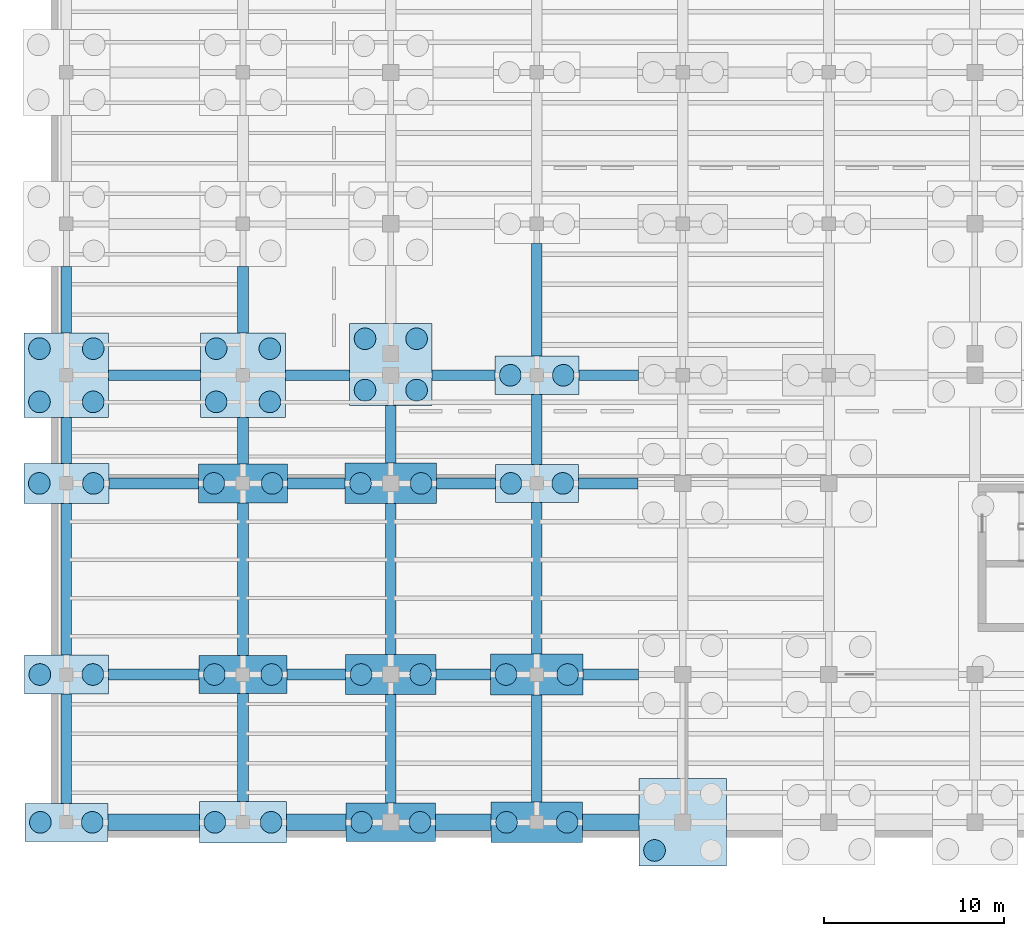
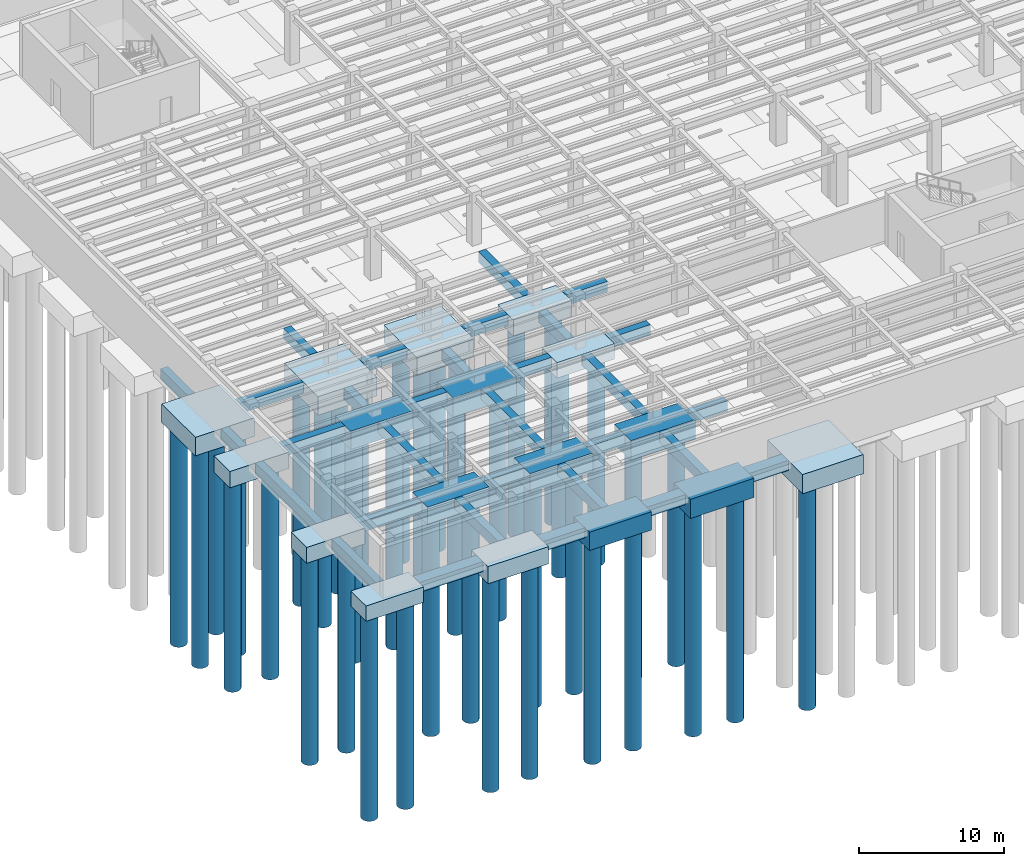
# One storey, part 1 of 49: 48 footings, 39 piles.
"""IFC4 building model written with IfcOpenShell, lengths in metres."""

import ifcopenshell
import ifcopenshell.guid

model = None  # the IFC model being written
_history = None  # IfcOwnerHistory: only IFC2X3 demands one
_inside = {}  # id of a spatial element -> (the spatial element, [elements in it])
_under = {}  # id of a project, library or spatial element -> (it, [spatial elements below it])
_declared = {}  # id of a project -> (the project, [libraries it declares])
_typed = {}  # id of a type object -> (the type object, [elements of that type])
_made_of = {}  # id of a material, layer set ... -> (it, [elements and type objects made of it])


def new_model(schema):
    """Start an empty IFC model of exactly this schema.

    Asked for "IFC4X3", IfcOpenShell would pick the latest addendum, in which some entities
    have other attributes; the version numbers below select the first issue.
    IFC2X3 requires an IfcOwnerHistory on every rooted entity: one is made here for all.
    """
    global model, _history
    if schema == "IFC4X3":
        model = ifcopenshell.file(schema_version=(4, 3, 0, 0))
    else:
        model = ifcopenshell.file(schema=schema)
    _inside.clear()
    _under.clear()
    _declared.clear()
    _typed.clear()
    _made_of.clear()
    _history = None
    if model.schema == "IFC2X3":
        org = make("IfcOrganization", Name="unknown")
        user = make(
            "IfcPersonAndOrganization",
            ThePerson=make("IfcPerson", FamilyName="unknown"),
            TheOrganization=org,
        )
        app = make(
            "IfcApplication",
            ApplicationDeveloper=org,
            Version="unknown",
            ApplicationFullName="unknown",
            ApplicationIdentifier="unknown",
        )
        _history = make(
            "IfcOwnerHistory",
            OwningUser=user,
            OwningApplication=app,
            ChangeAction="ADDED",
            CreationDate=0,
        )
    return model


def make(cls, **values):
    """One entity of the class cls with the attributes given. An attribute that is None is left unset."""
    return model.create_entity(
        cls, **{name: value for name, value in values.items() if value is not None}
    )


def rooted(cls, **values):
    """An entity with a GlobalId (a new one), such as an element, a storey or a relation."""
    return make(cls, GlobalId=ifcopenshell.guid.new(), OwnerHistory=_history, **values)


def si_unit(unit_type, name, prefix=None):
    """IfcSIUnit, for example si_unit("LENGTHUNIT", "METRE", prefix="MILLI")."""
    return make("IfcSIUnit", UnitType=unit_type, Prefix=prefix, Name=name)


def assignment(units):
    """IfcUnitAssignment: the units of a project."""
    return None if units is None else make("IfcUnitAssignment", Units=units)


def point(xyz):
    """IfcCartesianPoint."""
    return None if xyz is None else make("IfcCartesianPoint", Coordinates=xyz)


def direction(xyz):
    """IfcDirection."""
    return None if xyz is None else make("IfcDirection", DirectionRatios=xyz)


def frame(location, z_axis=None, x_axis=None):
    """IfcAxis2Placement3D, a coordinate frame: its origin and axes. An axis left out is left unset."""
    return make(
        "IfcAxis2Placement3D",
        Location=point(location),
        Axis=direction(z_axis),
        RefDirection=direction(x_axis),
    )


def frame_2d(location, x_axis=None):
    """IfcAxis2Placement2D, a coordinate frame in the plane: its origin and x axis."""
    return make(
        "IfcAxis2Placement2D", Location=point(location), RefDirection=direction(x_axis)
    )


def origin():
    """The frame at (0, 0, 0) with its axes left unset."""
    return frame((0.0, 0.0, 0.0))


def origin_2d():
    """The frame at (0, 0) in the plane with its x axis left unset."""
    return frame_2d((0.0, 0.0))


def place(relative_to, where):
    """IfcLocalPlacement: puts the frame where relative to a parent placement (None: the world)."""
    return make(
        "IfcLocalPlacement", PlacementRelTo=relative_to, RelativePlacement=where
    )


def context(
    kind, dimensions, precision=None, world=None, true_north=None, identifier=None
):
    """IfcGeometricRepresentationContext, for example the 3D "Model" context."""
    return make(
        "IfcGeometricRepresentationContext",
        ContextIdentifier=identifier,
        ContextType=kind,
        CoordinateSpaceDimension=dimensions,
        Precision=precision,
        WorldCoordinateSystem=world,
        TrueNorth=true_north,
    )


def subcontext(parent, identifier, kind, view, scale=None):
    """IfcGeometricRepresentationSubContext, for example "Body" below "Model"."""
    return make(
        "IfcGeometricRepresentationSubContext",
        ContextIdentifier=identifier,
        ContextType=kind,
        ParentContext=parent,
        TargetScale=scale,
        TargetView=view,
    )


def project(units=None, contexts=None):
    """IfcProject with its units and contexts."""
    return rooted(
        "IfcProject",
        Name="project",
        RepresentationContexts=contexts,
        UnitsInContext=assignment(units),
    )


def spatial(cls, under=None, at=None, **own):
    """A site, building, storey or space (cls), placed at a placement, below another one or the project."""
    s = rooted(cls, ObjectPlacement=at, **own)
    if under is not None:
        _under.setdefault(under.id(), (under, []))[1].append(s)
    return s


def profile(cls, at=None, kind="AREA", **sizes):
    """A parametric profile (cls). Its sizes go by their IFC names, for example OverallWidth=200.0."""
    return make(cls, ProfileType=kind, Position=at, **sizes)


def rectangle(**sizes):
    """IfcRectangleProfileDef."""
    return profile("IfcRectangleProfileDef", **sizes)


def circle(**sizes):
    """IfcCircleProfileDef."""
    return profile("IfcCircleProfileDef", **sizes)


def extrude(swept, where, along, depth):
    """IfcExtrudedAreaSolid: the profile swept, set in the frame where, extruded along a direction by depth."""
    return make(
        "IfcExtrudedAreaSolid",
        SweptArea=swept,
        Position=where,
        ExtrudedDirection=direction(along),
        Depth=depth,
    )


def shape(context_of_items, identifier, shape_type, items):
    """IfcShapeRepresentation: the items that make up one representation, for example the "Body"."""
    return make(
        "IfcShapeRepresentation",
        ContextOfItems=context_of_items,
        RepresentationIdentifier=identifier,
        RepresentationType=shape_type,
        Items=items,
    )


def material(Name=None, Category=None):
    """IfcMaterial."""
    return make("IfcMaterial", Name=Name, Category=Category)


def material_profile(
    of_material, cross_section, Name=None, Category=None, Priority=None
):
    """IfcMaterialProfile: a cross section and its material."""
    return make(
        "IfcMaterialProfile",
        Name=Name,
        Material=of_material,
        Profile=cross_section,
        Priority=Priority,
        Category=Category,
    )


def profile_set(profiles, Name=None, composite=None):
    """IfcMaterialProfileSet."""
    return make(
        "IfcMaterialProfileSet",
        Name=Name,
        MaterialProfiles=profiles,
        CompositeProfile=composite,
    )


def made_of(thing, what):
    """Note that an element or type object is made of a material, layer set ...; save() writes the relation."""
    if what is not None:
        _made_of.setdefault(what.id(), (what, []))[1].append(thing)
    return thing


def type_object(cls, material=None, **own):
    """A type object (cls), such as IfcWallType, which elements share."""
    return made_of(rooted(cls, **own), material)


def element(
    cls,
    number,
    at=None,
    inside=None,
    cuts=None,
    type_object=None,
    material=None,
    context=None,
    identifier="Body",
    shape_type=None,
    held_by="IfcProductDefinitionShape",
    body=None,
    shapes=None,
    **own,
):
    """One element of the class cls, such as IfcWall. Its Tag is "e" and its number.

    at: its placement. inside: the storey or other place that contains it. cuts: it is an
    opening in that element (IfcRelVoidsElement). A single representation is given by context,
    identifier, shape_type and body (its items); several are given by shapes. held_by: the class
    of the entity that holds the representations. save() writes the other relations.
    """
    e = rooted(cls, Tag="e%d" % number, ObjectPlacement=at, **own)
    if body is not None:
        shapes = [shape(context, identifier, shape_type, body)]
    if shapes is not None:
        e.Representation = make(held_by, Representations=shapes)
    if inside is not None:
        _inside.setdefault(inside.id(), (inside, []))[1].append(e)
    if cuts is not None:
        rooted(
            "IfcRelVoidsElement", RelatingBuildingElement=cuts, RelatedOpeningElement=e
        )
    if type_object is not None:
        _typed.setdefault(type_object.id(), (type_object, []))[1].append(e)
    return made_of(e, material)


def aggregate(whole, parts):
    """IfcRelAggregates: a whole, such as a stair, and the parts it consists of."""
    return rooted("IfcRelAggregates", RelatingObject=whole, RelatedObjects=parts)


def save(model, path):
    """Write the relations noted so far, then the file.

    IfcRelAggregates (storeys below a building ...), IfcRelContainedInSpatialStructure (elements
    in a storey), IfcRelDefinesByType, IfcRelAssociatesMaterial and IfcRelDeclares: one each for
    every whole, place, type object, material and project.
    """
    for whole, parts in _under.values():
        aggregate(whole, parts)
    for where, things in _inside.values():
        rooted(
            "IfcRelContainedInSpatialStructure",
            RelatedElements=things,
            RelatingStructure=where,
        )
    for kind, things in _typed.values():
        rooted("IfcRelDefinesByType", RelatedObjects=things, RelatingType=kind)
    for what, things in _made_of.values():
        rooted("IfcRelAssociatesMaterial", RelatedObjects=things, RelatingMaterial=what)
    for by, libraries in _declared.values():
        rooted("IfcRelDeclares", RelatingContext=by, RelatedDefinitions=libraries)
    model.write(path)


model = new_model("IFC4")

# Units and contexts
model_context = context("Model", 3, precision=1e-05, world=origin(), true_north=direction((0.0, 1.0)))
body_context = subcontext(model_context, "Body", "Model", "MODEL_VIEW")
ifc_project = project(units=[si_unit("LENGTHUNIT", "METRE"), si_unit("AREAUNIT", "SQUARE_METRE"), si_unit("VOLUMEUNIT", "CUBIC_METRE"), si_unit("PLANEANGLEUNIT", "RADIAN"), si_unit("MASSUNIT", "GRAM", prefix="KILO")], contexts=[model_context])

# Site, building, storey
site_placement = place(None, origin())
site = spatial("IfcSite", under=ifc_project, at=site_placement, CompositionType="ELEMENT")
building_placement = place(site_placement, origin())
building = spatial("IfcBuilding", under=site, at=building_placement, Name="Sollismere Congress Hotel", CompositionType="ELEMENT")
storey_placement = place(building_placement, frame((0.0, 0.0, -4.5)))
storey = spatial("IfcBuildingStorey", under=building, at=storey_placement, Name="B1", CompositionType="ELEMENT", Elevation=-4.5)

# Footings
ifc_material = material(Name="Concrete C40/50", Category="concrete")
footing_type_1 = type_object("IfcFootingType", Name="FT-GB600", PredefinedType="FOOTING_BEAM", material=ifc_material)
footing_1_placement = place(storey_placement, frame((4.840087890625, 8.199951171875, -0.89990234375), z_axis=(0.0, 0.0, 1.0), x_axis=(1.0, 0.0, 0.0)))
element("IfcFooting", 1, at=footing_1_placement, inside=storey, type_object=footing_type_1, Name="FTG-GB-008", PredefinedType="FOOTING_BEAM", context=body_context, shape_type="SweptSolid", body=[
    extrude(rectangle(XDim=5.02001953125, YDim=0.60009765625, at=origin_2d()), origin(), (0.0, 0.0, 1.0), 0.89990234375),
])
footing_2_placement = place(storey_placement, frame((13.8701171875, 8.199951171875, -0.89990234375), z_axis=(0.0, 0.0, 1.0), x_axis=(1.0, 0.0, 0.0)))
element("IfcFooting", 2, at=footing_2_placement, inside=storey, type_object=footing_type_1, Name="FTG-GB-009", PredefinedType="FOOTING_BEAM", context=body_context, shape_type="SweptSolid", body=[
    extrude(rectangle(XDim=3.239990234375, YDim=0.60009765625, at=origin_2d()), origin(), (0.0, 0.0, 1.0), 0.89990234375),
])
footing_3_placement = place(storey_placement, frame((22.02001953125, 8.199951171875, -0.89990234375), z_axis=(0.0, 0.0, 1.0), x_axis=(1.0, 0.0, 0.0)))
element("IfcFooting", 3, at=footing_3_placement, inside=storey, type_object=footing_type_1, Name="FTG-GB-010", PredefinedType="FOOTING_BEAM", context=body_context, shape_type="SweptSolid", body=[
    extrude(rectangle(XDim=3.02001953125, YDim=0.60009765625, at=origin_2d()), origin(), (0.0, 0.0, 1.0), 0.89990234375),
])
footing_4_placement = place(storey_placement, frame((30.202392578125, 8.199951171875, -0.89990234375), z_axis=(0.0, 0.0, 1.0), x_axis=(1.0, 0.0, 0.0)))
element("IfcFooting", 4, at=footing_4_placement, inside=storey, type_object=footing_type_1, Name="FTG-GB-011", PredefinedType="FOOTING_BEAM", context=body_context, shape_type="SweptSolid", body=[
    extrude(rectangle(XDim=3.06494140625, YDim=0.60009765625, at=origin_2d()), origin(), (0.0, 0.0, 1.0), 0.89990234375),
])
footing_5_placement = place(storey_placement, frame((4.840087890625, 18.800048828125, -0.89990234375), z_axis=(0.0, 0.0, 1.0), x_axis=(1.0, 0.0, 0.0)))
element("IfcFooting", 5, at=footing_5_placement, inside=storey, type_object=footing_type_1, Name="FTG-GB-023", PredefinedType="FOOTING_BEAM", context=body_context, shape_type="SweptSolid", body=[
    extrude(rectangle(XDim=4.9599609375, YDim=0.60009765625, at=origin_2d()), origin(), (0.0, 0.0, 1.0), 0.89990234375),
])
footing_6_placement = place(storey_placement, frame((13.8701171875, 18.800048828125, -0.89990234375), z_axis=(0.0, 0.0, 1.0), x_axis=(1.0, 0.0, 0.0)))
element("IfcFooting", 6, at=footing_6_placement, inside=storey, type_object=footing_type_1, Name="FTG-GB-024", PredefinedType="FOOTING_BEAM", context=body_context, shape_type="SweptSolid", body=[
    extrude(rectangle(XDim=3.179931640625, YDim=0.60009765625, at=origin_2d()), origin(), (0.0, 0.0, 1.0), 0.89990234375),
])
footing_7_placement = place(storey_placement, frame((22.169921875, 18.800048828125, -0.89990234375), z_axis=(0.0, 0.0, 1.0), x_axis=(1.0, 0.0, 0.0)))
element("IfcFooting", 7, at=footing_7_placement, inside=storey, type_object=footing_type_1, Name="FTG-GB-025", PredefinedType="FOOTING_BEAM", context=body_context, shape_type="SweptSolid", body=[
    extrude(rectangle(XDim=3.260009765625, YDim=0.60009765625, at=origin_2d()), origin(), (0.0, 0.0, 1.0), 0.89990234375),
])
footing_8_placement = place(storey_placement, frame((30.050048828125, 18.800048828125, -0.89990234375), z_axis=(0.0, 0.0, 1.0), x_axis=(1.0, 0.0, 0.0)))
element("IfcFooting", 8, at=footing_8_placement, inside=storey, type_object=footing_type_1, Name="FTG-GB-026", PredefinedType="FOOTING_BEAM", context=body_context, shape_type="SweptSolid", body=[
    extrude(rectangle(XDim=3.300048828125, YDim=0.60009765625, at=origin_2d()), origin(), (0.0, 0.0, 1.0), 0.89990234375),
])
footing_9_placement = place(storey_placement, frame((4.89990234375, 24.800048828125, -0.89990234375), z_axis=(0.0, 0.0, 1.0), x_axis=(1.0, 0.0, 0.0)))
element("IfcFooting", 9, at=footing_9_placement, inside=storey, type_object=footing_type_1, Name="FTG-GB-032", PredefinedType="FOOTING_BEAM", context=body_context, shape_type="SweptSolid", body=[
    extrude(rectangle(XDim=5.10009765625, YDim=0.60009765625, at=origin_2d()), origin(), (0.0, 0.0, 1.0), 0.89990234375),
])
footing_10_placement = place(storey_placement, frame((13.929931640625, 24.800048828125, -0.89990234375), z_axis=(0.0, 0.0, 1.0), x_axis=(1.0, 0.0, 0.0)))
element("IfcFooting", 10, at=footing_10_placement, inside=storey, type_object=footing_type_1, Name="FTG-GB-033", PredefinedType="FOOTING_BEAM", context=body_context, shape_type="SweptSolid", body=[
    extrude(rectangle(XDim=3.56005859375, YDim=0.60009765625, at=origin_2d()), origin(), (0.0, 0.0, 1.0), 0.89990234375),
])
footing_11_placement = place(storey_placement, frame((22.030029296875, 24.800048828125, -0.89990234375), z_axis=(0.0, 0.0, 1.0), x_axis=(1.0, 0.0, 0.0)))
element("IfcFooting", 11, at=footing_11_placement, inside=storey, type_object=footing_type_1, Name="FTG-GB-034", PredefinedType="FOOTING_BEAM", context=body_context, shape_type="SweptSolid", body=[
    extrude(rectangle(XDim=3.47998046875, YDim=0.60009765625, at=origin_2d()), origin(), (0.0, 0.0, 1.0), 0.89990234375),
])
footing_12_placement = place(storey_placement, frame((30.090087890625, 24.800048828125, -0.89990234375), z_axis=(0.0, 0.0, 1.0), x_axis=(1.0, 0.0, 0.0)))
element("IfcFooting", 12, at=footing_12_placement, inside=storey, type_object=footing_type_1, Name="FTG-GB-035", PredefinedType="FOOTING_BEAM", context=body_context, shape_type="SweptSolid", body=[
    extrude(rectangle(XDim=3.320068359375, YDim=0.60009765625, at=origin_2d()), origin(), (0.0, 0.0, 1.0), 0.89990234375),
])
footing_13_placement = place(storey_placement, frame((0.0, 4.08740234375, -0.89990234375), z_axis=(0.0, 0.0, 1.0), x_axis=(0.0, 1.0, 0.0)))
element("IfcFooting", 13, at=footing_13_placement, inside=storey, type_object=footing_type_1, Name="FTG-GB-216", PredefinedType="FOOTING_BEAM", context=body_context, shape_type="SweptSolid", body=[
    extrude(rectangle(XDim=6.074951171875, YDim=0.60009765625, at=origin_2d()), origin(), (0.0, 0.0, 1.0), 0.89990234375),
])
footing_14_placement = place(storey_placement, frame((0.0, 13.487548828125, -0.89990234375), z_axis=(0.0, 0.0, 1.0), x_axis=(0.0, 1.0, 0.0)))
element("IfcFooting", 14, at=footing_14_placement, inside=storey, type_object=footing_type_1, Name="FTG-GB-217", PredefinedType="FOOTING_BEAM", context=body_context, shape_type="SweptSolid", body=[
    extrude(rectangle(XDim=8.425048828125, YDim=0.60009765625, at=origin_2d()), origin(), (0.0, 0.0, 1.0), 0.89990234375),
])
footing_15_placement = place(storey_placement, frame((0.0, 21.1826171875, -0.89990234375), z_axis=(0.0, 0.0, 1.0), x_axis=(0.0, 1.0, 0.0)))
element("IfcFooting", 15, at=footing_15_placement, inside=storey, type_object=footing_type_1, Name="FTG-GB-218", PredefinedType="FOOTING_BEAM", context=body_context, shape_type="SweptSolid", body=[
    extrude(rectangle(XDim=2.56494140625, YDim=0.60009765625, at=origin_2d()), origin(), (0.0, 0.0, 1.0), 0.89990234375),
])
footing_16_placement = place(storey_placement, frame((0.0, 28.987548828125, -0.89990234375), z_axis=(0.0, 0.0, 1.0), x_axis=(0.0, 1.0, 0.0)))
element("IfcFooting", 16, at=footing_16_placement, inside=storey, type_object=footing_type_1, Name="FTG-GB-219", PredefinedType="FOOTING_BEAM", context=body_context, shape_type="SweptSolid", body=[
    extrude(rectangle(XDim=3.705078125, YDim=0.60009765625, at=origin_2d()), origin(), (0.0, 0.0, 1.0), 0.89990234375),
])
footing_17_placement = place(storey_placement, frame((9.800048828125, 4.14990234375, -0.89990234375), z_axis=(0.0, 0.0, 1.0), x_axis=(0.0, 1.0, 0.0)))
element("IfcFooting", 17, at=footing_17_placement, inside=storey, type_object=footing_type_1, Name="FTG-GB-228", PredefinedType="FOOTING_BEAM", context=body_context, shape_type="SweptSolid", body=[
    extrude(rectangle(XDim=6.0, YDim=0.60009765625, at=origin_2d()), origin(), (0.0, 0.0, 1.0), 0.89990234375),
])
footing_18_placement = place(storey_placement, frame((9.800048828125, 13.487548828125, -0.89990234375), z_axis=(0.0, 0.0, 1.0), x_axis=(0.0, 1.0, 0.0)))
element("IfcFooting", 18, at=footing_18_placement, inside=storey, type_object=footing_type_1, Name="FTG-GB-229", PredefinedType="FOOTING_BEAM", context=body_context, shape_type="SweptSolid", body=[
    extrude(rectangle(XDim=8.47509765625, YDim=0.60009765625, at=origin_2d()), origin(), (0.0, 0.0, 1.0), 0.89990234375),
])
footing_19_placement = place(storey_placement, frame((9.800048828125, 21.169921875, -0.89990234375), z_axis=(0.0, 0.0, 1.0), x_axis=(0.0, 1.0, 0.0)))
element("IfcFooting", 19, at=footing_19_placement, inside=storey, type_object=footing_type_1, Name="FTG-GB-230", PredefinedType="FOOTING_BEAM", context=body_context, shape_type="SweptSolid", body=[
    extrude(rectangle(XDim=2.590087890625, YDim=0.60009765625, at=origin_2d()), origin(), (0.0, 0.0, 1.0), 0.89990234375),
])
footing_20_placement = place(storey_placement, frame((9.800048828125, 28.987548828125, -0.89990234375), z_axis=(0.0, 0.0, 1.0), x_axis=(0.0, 1.0, 0.0)))
element("IfcFooting", 20, at=footing_20_placement, inside=storey, type_object=footing_type_1, Name="FTG-GB-231", PredefinedType="FOOTING_BEAM", context=body_context, shape_type="SweptSolid", body=[
    extrude(rectangle(XDim=3.705078125, YDim=0.60009765625, at=origin_2d()), origin(), (0.0, 0.0, 1.0), 0.89990234375),
])
footing_21_placement = place(storey_placement, frame((18.0, 4.08740234375, -0.89990234375), z_axis=(0.0, 0.0, 1.0), x_axis=(0.0, 1.0, 0.0)))
element("IfcFooting", 21, at=footing_21_placement, inside=storey, type_object=footing_type_1, Name="FTG-GB-239", PredefinedType="FOOTING_BEAM", context=body_context, shape_type="SweptSolid", body=[
    extrude(rectangle(XDim=6.02490234375, YDim=0.60009765625, at=origin_2d()), origin(), (0.0, 0.0, 1.0), 0.89990234375),
])
footing_22_placement = place(storey_placement, frame((18.0, 13.487548828125, -0.89990234375), z_axis=(0.0, 0.0, 1.0), x_axis=(0.0, 1.0, 0.0)))
element("IfcFooting", 22, at=footing_22_placement, inside=storey, type_object=footing_type_1, Name="FTG-GB-240", PredefinedType="FOOTING_BEAM", context=body_context, shape_type="SweptSolid", body=[
    extrude(rectangle(XDim=8.375, YDim=0.60009765625, at=origin_2d()), origin(), (0.0, 0.0, 1.0), 0.89990234375),
])
footing_23_placement = place(storey_placement, frame((18.0, 21.52001953125, -0.89990234375), z_axis=(0.0, 0.0, 1.0), x_axis=(0.0, 1.0, 0.0)))
element("IfcFooting", 23, at=footing_23_placement, inside=storey, type_object=footing_type_1, Name="FTG-GB-241", PredefinedType="FOOTING_BEAM", context=body_context, shape_type="SweptSolid", body=[
    extrude(rectangle(XDim=3.18994140625, YDim=0.60009765625, at=origin_2d()), origin(), (0.0, 0.0, 1.0), 0.89990234375),
])
footing_24_placement = place(storey_placement, frame((26.10009765625, 4.08740234375, -0.89990234375), z_axis=(0.0, 0.0, 1.0), x_axis=(0.0, 1.0, 0.0)))
element("IfcFooting", 24, at=footing_24_placement, inside=storey, type_object=footing_type_1, Name="FTG-GB-251", PredefinedType="FOOTING_BEAM", context=body_context, shape_type="SweptSolid", body=[
    extrude(rectangle(XDim=5.925048828125, YDim=0.60009765625, at=origin_2d()), origin(), (0.0, 0.0, 1.0), 0.89990234375),
])
footing_25_placement = place(storey_placement, frame((26.10009765625, 13.550048828125, -0.89990234375), z_axis=(0.0, 0.0, 1.0), x_axis=(0.0, 1.0, 0.0)))
element("IfcFooting", 25, at=footing_25_placement, inside=storey, type_object=footing_type_1, Name="FTG-GB-252", PredefinedType="FOOTING_BEAM", context=body_context, shape_type="SweptSolid", body=[
    extrude(rectangle(XDim=8.39990234375, YDim=0.60009765625, at=origin_2d()), origin(), (0.0, 0.0, 1.0), 0.89990234375),
])
footing_26_placement = place(storey_placement, frame((26.10009765625, 21.78759765625, -0.89990234375), z_axis=(0.0, 0.0, 1.0), x_axis=(0.0, 1.0, 0.0)))
element("IfcFooting", 26, at=footing_26_placement, inside=storey, type_object=footing_type_1, Name="FTG-GB-253", PredefinedType="FOOTING_BEAM", context=body_context, shape_type="SweptSolid", body=[
    extrude(rectangle(XDim=3.875, YDim=0.60009765625, at=origin_2d()), origin(), (0.0, 0.0, 1.0), 0.89990234375),
])
footing_27_placement = place(storey_placement, frame((26.10009765625, 28.987548828125, -0.89990234375), z_axis=(0.0, 0.0, 1.0), x_axis=(0.0, 1.0, 0.0)))
element("IfcFooting", 27, at=footing_27_placement, inside=storey, type_object=footing_type_1, Name="FTG-GB-254", PredefinedType="FOOTING_BEAM", context=body_context, shape_type="SweptSolid", body=[
    extrude(rectangle(XDim=6.22509765625, YDim=0.60009765625, at=origin_2d()), origin(), (0.0, 0.0, 1.0), 0.89990234375),
])
footing_type_2 = type_object("IfcFootingType", Name="FT-PC2-01", PredefinedType="PILE_CAP", material=ifc_material)
for number, where, z_axis, x_axis, name in (
    (28, (0.0, 0.0, -1.2998046875), (0.0, 0.0, 1.0), (1.0, 0.0, 0.0), "Reinforced concrete pile cap PC-001"),
    (29, (26.10009765625, 18.800048828125, -1.2998046875), (0.0, 0.0, 1.0), (1.0, 0.0, 0.0), "Reinforced concrete pile cap PC-041"),
):
    element("IfcFooting", number, at=place(storey_placement, frame(where, z_axis=z_axis, x_axis=x_axis)), inside=storey, type_object=footing_type_2, Name=name, PredefinedType="PILE_CAP", context=body_context, shape_type="SweptSolid", body=[
        extrude(rectangle(XDim=4.60009765625, YDim=2.10009765625, at=origin_2d()), origin(), (0.0, 0.0, 1.0), 1.300048828125),
    ])
footing_type_3 = type_object("IfcFootingType", Name="FT-PC2-02", PredefinedType="PILE_CAP", material=ifc_material)
for number, where, z_axis, x_axis, name in (
    (30, (0.0, 8.199951171875, -1.33984375), (0.0, 0.0, 1.0), (1.0, 0.0, 0.0), "Reinforced concrete pile cap PC-002"),
    (31, (26.10009765625, 24.800048828125, -1.33984375), (0.0, 0.0, 1.0), (1.0, 0.0, 0.0), "Reinforced concrete pile cap PC-042"),
):
    element("IfcFooting", number, at=place(storey_placement, frame(where, z_axis=z_axis, x_axis=x_axis)), inside=storey, type_object=footing_type_3, Name=name, PredefinedType="PILE_CAP", context=body_context, shape_type="SweptSolid", body=[
        extrude(rectangle(XDim=4.659912109375, YDim=2.14990234375, at=origin_2d()), origin(), (0.0, 0.0, 1.0), 1.340087890625),
    ])
footing_type_4 = type_object("IfcFootingType", Name="FT-PC2-03", PredefinedType="PILE_CAP", material=ifc_material)
footing_28_placement = place(storey_placement, frame((0.0, 18.800048828125, -1.3798828125), z_axis=(0.0, 0.0, 1.0), x_axis=(1.0, 0.0, 0.0)))
element("IfcFooting", 32, at=footing_28_placement, inside=storey, type_object=footing_type_4, Name="Reinforced concrete pile cap PC-003", PredefinedType="PILE_CAP", context=body_context, shape_type="SweptSolid", body=[
    extrude(rectangle(XDim=4.719970703125, YDim=2.199951171875, at=origin_2d()), origin(), (0.0, 0.0, 1.0), 1.3798828125),
])
footing_type_5 = type_object("IfcFootingType", Name="FT-PC2-05", PredefinedType="PILE_CAP", material=ifc_material)
footing_29_placement = place(storey_placement, frame((9.800048828125, 0.0, -1.4599609375), z_axis=(0.0, 0.0, 1.0), x_axis=(1.0, 0.0, 0.0)))
element("IfcFooting", 33, at=footing_29_placement, inside=storey, type_object=footing_type_5, Name="Reinforced concrete pile cap PC-015", PredefinedType="PILE_CAP", context=body_context, shape_type="SweptSolid", body=[
    extrude(rectangle(XDim=4.840087890625, YDim=2.300048828125, at=origin_2d()), origin(), (0.0, 0.0, 1.0), 1.4599609375),
])
footing_type_6 = type_object("IfcFootingType", Name="FT-PC2-06", PredefinedType="PILE_CAP", material=ifc_material)
footing_30_placement = place(storey_placement, frame((9.800048828125, 8.199951171875, -1.5), z_axis=(0.0, 0.0, 1.0), x_axis=(1.0, 0.0, 0.0)))
element("IfcFooting", 34, at=footing_30_placement, inside=storey, type_object=footing_type_6, Name="Reinforced concrete pile cap PC-016", PredefinedType="PILE_CAP", context=body_context, shape_type="SweptSolid", body=[
    extrude(rectangle(XDim=4.89990234375, YDim=2.10009765625, at=origin_2d()), origin(), (0.0, 0.0, 1.0), 1.5),
])
footing_type_7 = type_object("IfcFootingType", Name="FT-PC2-07", PredefinedType="PILE_CAP", material=ifc_material)
for number, where, z_axis, x_axis, name in (
    (35, (9.800048828125, 18.800048828125, -1.5400390625), (0.0, 0.0, 1.0), (1.0, 0.0, 0.0), "Reinforced concrete pile cap PC-017"),
    (36, (18.0, 0.0, -1.5400390625), (0.0, 0.0, 1.0), (1.0, 0.0, 0.0), "Reinforced concrete pile cap PC-027"),
):
    element("IfcFooting", number, at=place(storey_placement, frame(where, z_axis=z_axis, x_axis=x_axis)), inside=storey, type_object=footing_type_7, Name=name, PredefinedType="PILE_CAP", context=body_context, shape_type="SweptSolid", body=[
        extrude(rectangle(XDim=4.9599609375, YDim=2.14990234375, at=origin_2d()), origin(), (0.0, 0.0, 1.0), 1.5400390625),
    ])
footing_type_8 = type_object("IfcFootingType", Name="FT-PC2-08", PredefinedType="PILE_CAP", material=ifc_material)
footing_31_placement = place(storey_placement, frame((18.0, 8.199951171875, -1.580078125), z_axis=(0.0, 0.0, 1.0), x_axis=(1.0, 0.0, 0.0)))
element("IfcFooting", 37, at=footing_31_placement, inside=storey, type_object=footing_type_8, Name="Reinforced concrete pile cap PC-028", PredefinedType="PILE_CAP", context=body_context, shape_type="SweptSolid", body=[
    extrude(rectangle(XDim=5.02001953125, YDim=2.199951171875, at=origin_2d()), origin(), (0.0, 0.0, 1.0), 1.580078125),
])
footing_type_9 = type_object("IfcFootingType", Name="FT-PC2-09", PredefinedType="PILE_CAP", material=ifc_material)
for number, where, z_axis, x_axis, name in (
    (38, (18.0, 18.800048828125, -1.6201171875), (0.0, 0.0, 1.0), (1.0, 0.0, 0.0), "Reinforced concrete pile cap PC-029"),
    (39, (26.10009765625, 0.0, -1.6201171875), (0.0, 0.0, 1.0), (1.0, 0.0, 0.0), "Reinforced concrete pile cap PC-039"),
):
    element("IfcFooting", number, at=place(storey_placement, frame(where, z_axis=z_axis, x_axis=x_axis)), inside=storey, type_object=footing_type_9, Name=name, PredefinedType="PILE_CAP", context=body_context, shape_type="SweptSolid", body=[
        extrude(rectangle(XDim=5.080078125, YDim=2.25, at=origin_2d()), origin(), (0.0, 0.0, 1.0), 1.6201171875),
    ])
footing_type_10 = type_object("IfcFootingType", Name="FT-PC2-10", PredefinedType="PILE_CAP", material=ifc_material)
footing_32_placement = place(storey_placement, frame((26.10009765625, 8.199951171875, -1.66015625), z_axis=(0.0, 0.0, 1.0), x_axis=(1.0, 0.0, 0.0)))
element("IfcFooting", 40, at=footing_32_placement, inside=storey, type_object=footing_type_10, Name="Reinforced concrete pile cap PC-040", PredefinedType="PILE_CAP", context=body_context, shape_type="SweptSolid", body=[
    extrude(rectangle(XDim=5.139892578125, YDim=2.300048828125, at=origin_2d()), origin(), (0.0, 0.0, 1.0), 1.659912109375),
])
footing_type_11 = type_object("IfcFootingType", Name="FT-PC4-02", PredefinedType="PILE_CAP", material=ifc_material)
footing_33_placement = place(storey_placement, frame((18.0, 25.39990234375, -1.490234375), z_axis=(0.0, 0.0, 1.0), x_axis=(1.0, 0.0, 0.0)))
element("IfcFooting", 41, at=footing_33_placement, inside=storey, type_object=footing_type_11, Name="Reinforced concrete pile cap PC-030", PredefinedType="PILE_CAP", context=body_context, shape_type="SweptSolid", body=[
    extrude(rectangle(XDim=4.580078125, YDim=4.570068359375, at=origin_2d()), origin(), (0.0, 0.0, 1.0), 1.489990234375),
])
footing_type_12 = type_object("IfcFootingType", Name="FT-PC4-04", PredefinedType="PILE_CAP", material=ifc_material)
for number, where, z_axis, x_axis, name in (
    (42, (0.0, 24.800048828125, -1.56982421875), (0.0, 0.0, 1.0), (1.0, 0.0, 0.0), "Reinforced concrete pile cap PC-004"),
    (43, (9.800048828125, 24.800048828125, -1.56982421875), (0.0, 0.0, 1.0), (1.0, 0.0, 0.0), "Reinforced concrete pile cap PC-018"),
):
    element("IfcFooting", number, at=place(storey_placement, frame(where, z_axis=z_axis, x_axis=x_axis)), inside=storey, type_object=footing_type_12, Name=name, PredefinedType="PILE_CAP", context=body_context, shape_type="SweptSolid", body=[
        extrude(rectangle(XDim=4.699951171875, YDim=4.669921875, at=origin_2d()), origin(), (0.0, 0.0, 1.0), 1.570068359375),
    ])
footing_type_13 = type_object("IfcFootingType", Name="FT-PC4H-03", PredefinedType="PILE_CAP", material=ifc_material)
footing_34_placement = place(storey_placement, frame((34.199951171875, 0.0, -1.6298828125), z_axis=(0.0, 0.0, 1.0), x_axis=(1.0, 0.0, 0.0)))
element("IfcFooting", 44, at=footing_34_placement, inside=storey, type_object=footing_type_13, Name="Reinforced concrete pile cap PC-053", PredefinedType="PILE_CAP", context=body_context, shape_type="SweptSolid", body=[
    extrude(rectangle(XDim=4.860107421875, YDim=4.840087890625, at=origin_2d()), origin(), (0.0, 0.0, 1.0), 1.6298828125),
])
footing_type_14 = type_object("IfcFootingType", Name="FT-SF900", PredefinedType="STRIP_FOOTING", material=ifc_material)
footing_35_placement = place(storey_placement, frame((4.840087890625, 0.0, -0.85009765625), z_axis=(0.0, 0.0, 1.0), x_axis=(1.0, 0.0, 0.0)))
element("IfcFooting", 45, at=footing_35_placement, inside=storey, type_object=footing_type_14, Name="FTG-SF-001", PredefinedType="STRIP_FOOTING", context=body_context, shape_type="SweptSolid", body=[
    extrude(rectangle(XDim=5.080078125, YDim=0.89990234375, at=origin_2d()), origin(), (0.0, 0.0, 1.0), 0.85009765625),
])
footing_36_placement = place(storey_placement, frame((13.8701171875, 0.0, -0.85009765625), z_axis=(0.0, 0.0, 1.0), x_axis=(1.0, 0.0, 0.0)))
element("IfcFooting", 46, at=footing_36_placement, inside=storey, type_object=footing_type_14, Name="FTG-SF-002", PredefinedType="STRIP_FOOTING", context=body_context, shape_type="SweptSolid", body=[
    extrude(rectangle(XDim=3.300048828125, YDim=0.89990234375, at=origin_2d()), origin(), (0.0, 0.0, 1.0), 0.85009765625),
])
footing_37_placement = place(storey_placement, frame((22.02001953125, 0.0, -0.85009765625), z_axis=(0.0, 0.0, 1.0), x_axis=(1.0, 0.0, 0.0)))
element("IfcFooting", 47, at=footing_37_placement, inside=storey, type_object=footing_type_14, Name="FTG-SF-003", PredefinedType="STRIP_FOOTING", context=body_context, shape_type="SweptSolid", body=[
    extrude(rectangle(XDim=3.080078125, YDim=0.89990234375, at=origin_2d()), origin(), (0.0, 0.0, 1.0), 0.85009765625),
])
footing_38_placement = place(storey_placement, frame((30.205078125, 0.0, -0.85009765625), z_axis=(0.0, 0.0, 1.0), x_axis=(1.0, 0.0, 0.0)))
element("IfcFooting", 48, at=footing_38_placement, inside=storey, type_object=footing_type_14, Name="FTG-SF-004", PredefinedType="STRIP_FOOTING", context=body_context, shape_type="SweptSolid", body=[
    extrude(rectangle(XDim=3.1298828125, YDim=0.89990234375, at=origin_2d()), origin(), (0.0, 0.0, 1.0), 0.85009765625),
])

# Piles
ifc_material_profile = material_profile(ifc_material, circle(Radius=0.60009765625, at=origin_2d()), Name="CAISSON1200")
ifc_profile_set = profile_set([ifc_material_profile], Name="Concrete C40/50")
pile_type = type_object("IfcPileType", Name="PL-CS1200", PredefinedType="BORED", material=ifc_profile_set)
for number, where, z_axis, x_axis, name in (
    (49, (-1.43994140625, 0.0, -1.199951171875), (0.0, 0.0, -1.0), (1.0, 0.0, 0.0), "Bored rock-socketed caisson PL-001"),
    (50, (1.43994140625, 0.0, -1.199951171875), (0.0, 0.0, -1.0), (1.0, 0.0, 0.0), "Bored rock-socketed caisson PL-002"),
):
    element("IfcPile", number, at=place(storey_placement, frame(where, z_axis=z_axis, x_axis=x_axis)), inside=storey, type_object=pile_type, Name=name, PredefinedType="BORED", context=body_context, shape_type="SweptSolid", body=[
        extrude(circle(Radius=0.60009765625, at=origin_2d()), origin(), (0.0, 0.0, 1.0), 17.5),
    ])
for number, where, z_axis, x_axis, name in (
    (51, (-1.469970703125, 8.199951171875, -1.239990234375), (0.0, 0.0, -1.0), (1.0, 0.0, 0.0), "Bored rock-socketed caisson PL-003"),
    (52, (1.469970703125, 8.199951171875, -1.239990234375), (0.0, 0.0, -1.0), (1.0, 0.0, 0.0), "Bored rock-socketed caisson PL-004"),
):
    element("IfcPile", number, at=place(storey_placement, frame(where, z_axis=z_axis, x_axis=x_axis)), inside=storey, type_object=pile_type, Name=name, PredefinedType="BORED", context=body_context, shape_type="SweptSolid", body=[
        extrude(circle(Radius=0.60009765625, at=origin_2d()), origin(), (0.0, 0.0, 1.0), 17.699951171875),
    ])
for number, where, z_axis, x_axis, name in (
    (53, (-1.5, 18.800048828125, -1.280029296875), (0.0, 0.0, -1.0), (1.0, 0.0, 0.0), "Bored rock-socketed caisson PL-005"),
    (54, (1.5, 18.800048828125, -1.280029296875), (0.0, 0.0, -1.0), (1.0, 0.0, 0.0), "Bored rock-socketed caisson PL-006"),
):
    element("IfcPile", number, at=place(storey_placement, frame(where, z_axis=z_axis, x_axis=x_axis)), inside=storey, type_object=pile_type, Name=name, PredefinedType="BORED", context=body_context, shape_type="SweptSolid", body=[
        extrude(circle(Radius=0.60009765625, at=origin_2d()), origin(), (0.0, 0.0, 1.0), 17.89990234375),
    ])
for number, where, z_axis, x_axis, name in (
    (55, (-1.489990234375, 23.324951171875, -1.469970703125), (0.0, 0.0, -1.0), (1.0, 0.0, 0.0), "Bored rock-socketed caisson PL-007"),
    (56, (1.489990234375, 23.324951171875, -1.469970703125), (0.0, 0.0, -1.0), (1.0, 0.0, 0.0), "Bored rock-socketed caisson PL-008"),
    (57, (-1.489990234375, 26.27490234375, -1.469970703125), (0.0, 0.0, -1.0), (1.0, 0.0, 0.0), "Bored rock-socketed caisson PL-009"),
    (58, (1.489990234375, 26.27490234375, -1.469970703125), (0.0, 0.0, -1.0), (1.0, 0.0, 0.0), "Bored rock-socketed caisson PL-010"),
):
    element("IfcPile", number, at=place(storey_placement, frame(where, z_axis=z_axis, x_axis=x_axis)), inside=storey, type_object=pile_type, Name=name, PredefinedType="BORED", context=body_context, shape_type="SweptSolid", body=[
        extrude(circle(Radius=0.60009765625, at=origin_2d()), origin(), (0.0, 0.0, 1.0), 18.449951171875),
    ])
for number, where, z_axis, x_axis, name in (
    (59, (8.239990234375, 0.0, -1.360107421875), (0.0, 0.0, -1.0), (1.0, 0.0, 0.0), "Bored rock-socketed caisson PL-049"),
    (60, (11.360107421875, 0.0, -1.360107421875), (0.0, 0.0, -1.0), (1.0, 0.0, 0.0), "Bored rock-socketed caisson PL-050"),
):
    element("IfcPile", number, at=place(storey_placement, frame(where, z_axis=z_axis, x_axis=x_axis)), inside=storey, type_object=pile_type, Name=name, PredefinedType="BORED", context=body_context, shape_type="SweptSolid", body=[
        extrude(circle(Radius=0.60009765625, at=origin_2d()), origin(), (0.0, 0.0, 1.0), 18.300048828125),
    ])
for number, where, z_axis, x_axis, name in (
    (61, (8.2099609375, 8.199951171875, -1.39990234375), (0.0, 0.0, -1.0), (1.0, 0.0, 0.0), "Bored rock-socketed caisson PL-051"),
    (62, (11.389892578125, 8.199951171875, -1.39990234375), (0.0, 0.0, -1.0), (1.0, 0.0, 0.0), "Bored rock-socketed caisson PL-052"),
):
    element("IfcPile", number, at=place(storey_placement, frame(where, z_axis=z_axis, x_axis=x_axis)), inside=storey, type_object=pile_type, Name=name, PredefinedType="BORED", context=body_context, shape_type="SweptSolid", body=[
        extrude(circle(Radius=0.60009765625, at=origin_2d()), origin(), (0.0, 0.0, 1.0), 18.5),
    ])
for number, where, z_axis, x_axis, name in (
    (63, (8.179931640625, 18.800048828125, -1.43994140625), (0.0, 0.0, -1.0), (1.0, 0.0, 0.0), "Bored rock-socketed caisson PL-053"),
    (64, (11.419921875, 18.800048828125, -1.43994140625), (0.0, 0.0, -1.0), (1.0, 0.0, 0.0), "Bored rock-socketed caisson PL-054"),
):
    element("IfcPile", number, at=place(storey_placement, frame(where, z_axis=z_axis, x_axis=x_axis)), inside=storey, type_object=pile_type, Name=name, PredefinedType="BORED", context=body_context, shape_type="SweptSolid", body=[
        extrude(circle(Radius=0.60009765625, at=origin_2d()), origin(), (0.0, 0.0, 1.0), 18.699951171875),
    ])
for number, where, z_axis, x_axis, name in (
    (65, (8.31005859375, 23.324951171875, -1.469970703125), (0.0, 0.0, -1.0), (1.0, 0.0, 0.0), "Bored rock-socketed caisson PL-055"),
    (66, (11.2900390625, 23.324951171875, -1.469970703125), (0.0, 0.0, -1.0), (1.0, 0.0, 0.0), "Bored rock-socketed caisson PL-056"),
    (67, (8.31005859375, 26.27490234375, -1.469970703125), (0.0, 0.0, -1.0), (1.0, 0.0, 0.0), "Bored rock-socketed caisson PL-057"),
    (68, (11.2900390625, 26.27490234375, -1.469970703125), (0.0, 0.0, -1.0), (1.0, 0.0, 0.0), "Bored rock-socketed caisson PL-058"),
):
    element("IfcPile", number, at=place(storey_placement, frame(where, z_axis=z_axis, x_axis=x_axis)), inside=storey, type_object=pile_type, Name=name, PredefinedType="BORED", context=body_context, shape_type="SweptSolid", body=[
        extrude(circle(Radius=0.60009765625, at=origin_2d()), origin(), (0.0, 0.0, 1.0), 18.449951171875),
    ])
for number, where, z_axis, x_axis, name in (
    (69, (16.3798828125, 0.0, -1.43994140625), (0.0, 0.0, -1.0), (1.0, 0.0, 0.0), "Bored rock-socketed caisson PL-085"),
    (70, (19.6201171875, 0.0, -1.43994140625), (0.0, 0.0, -1.0), (1.0, 0.0, 0.0), "Bored rock-socketed caisson PL-086"),
):
    element("IfcPile", number, at=place(storey_placement, frame(where, z_axis=z_axis, x_axis=x_axis)), inside=storey, type_object=pile_type, Name=name, PredefinedType="BORED", context=body_context, shape_type="SweptSolid", body=[
        extrude(circle(Radius=0.60009765625, at=origin_2d()), origin(), (0.0, 0.0, 1.0), 18.699951171875),
    ])
for number, where, z_axis, x_axis, name in (
    (71, (16.35009765625, 8.199951171875, -1.47998046875), (0.0, 0.0, -1.0), (1.0, 0.0, 0.0), "Bored rock-socketed caisson PL-087"),
    (72, (19.64990234375, 8.199951171875, -1.47998046875), (0.0, 0.0, -1.0), (1.0, 0.0, 0.0), "Bored rock-socketed caisson PL-088"),
):
    element("IfcPile", number, at=place(storey_placement, frame(where, z_axis=z_axis, x_axis=x_axis)), inside=storey, type_object=pile_type, Name=name, PredefinedType="BORED", context=body_context, shape_type="SweptSolid", body=[
        extrude(circle(Radius=0.60009765625, at=origin_2d()), origin(), (0.0, 0.0, 1.0), 18.89990234375),
    ])
for number, where, z_axis, x_axis, name in (
    (73, (16.320068359375, 18.800048828125, -1.52001953125), (0.0, 0.0, -1.0), (1.0, 0.0, 0.0), "Bored rock-socketed caisson PL-089"),
    (74, (19.679931640625, 18.800048828125, -1.52001953125), (0.0, 0.0, -1.0), (1.0, 0.0, 0.0), "Bored rock-socketed caisson PL-090"),
):
    element("IfcPile", number, at=place(storey_placement, frame(where, z_axis=z_axis, x_axis=x_axis)), inside=storey, type_object=pile_type, Name=name, PredefinedType="BORED", context=body_context, shape_type="SweptSolid", body=[
        extrude(circle(Radius=0.60009765625, at=origin_2d()), origin(), (0.0, 0.0, 1.0), 19.10009765625),
    ])
for number, where, z_axis, x_axis, name in (
    (75, (16.570068359375, 23.97509765625, -1.389892578125), (0.0, 0.0, -1.0), (1.0, 0.0, 0.0), "Bored rock-socketed caisson PL-091"),
    (76, (19.429931640625, 23.97509765625, -1.389892578125), (0.0, 0.0, -1.0), (1.0, 0.0, 0.0), "Bored rock-socketed caisson PL-092"),
    (77, (16.570068359375, 26.824951171875, -1.389892578125), (0.0, 0.0, -1.0), (1.0, 0.0, 0.0), "Bored rock-socketed caisson PL-093"),
    (78, (19.429931640625, 26.824951171875, -1.389892578125), (0.0, 0.0, -1.0), (1.0, 0.0, 0.0), "Bored rock-socketed caisson PL-094"),
):
    element("IfcPile", number, at=place(storey_placement, frame(where, z_axis=z_axis, x_axis=x_axis)), inside=storey, type_object=pile_type, Name=name, PredefinedType="BORED", context=body_context, shape_type="SweptSolid", body=[
        extrude(circle(Radius=0.60009765625, at=origin_2d()), origin(), (0.0, 0.0, 1.0), 18.14990234375),
    ])
for number, where, z_axis, x_axis, name in (
    (79, (24.419921875, 0.0, -1.52001953125), (0.0, 0.0, -1.0), (1.0, 0.0, 0.0), "Bored rock-socketed caisson PL-119"),
    (80, (27.780029296875, 0.0, -1.52001953125), (0.0, 0.0, -1.0), (1.0, 0.0, 0.0), "Bored rock-socketed caisson PL-120"),
):
    element("IfcPile", number, at=place(storey_placement, frame(where, z_axis=z_axis, x_axis=x_axis)), inside=storey, type_object=pile_type, Name=name, PredefinedType="BORED", context=body_context, shape_type="SweptSolid", body=[
        extrude(circle(Radius=0.60009765625, at=origin_2d()), origin(), (0.0, 0.0, 1.0), 19.10009765625),
    ])
for number, where, z_axis, x_axis, name in (
    (81, (24.389892578125, 8.199951171875, -1.56005859375), (0.0, 0.0, -1.0), (1.0, 0.0, 0.0), "Bored rock-socketed caisson PL-121"),
    (82, (27.81005859375, 8.199951171875, -1.56005859375), (0.0, 0.0, -1.0), (1.0, 0.0, 0.0), "Bored rock-socketed caisson PL-122"),
):
    element("IfcPile", number, at=place(storey_placement, frame(where, z_axis=z_axis, x_axis=x_axis)), inside=storey, type_object=pile_type, Name=name, PredefinedType="BORED", context=body_context, shape_type="SweptSolid", body=[
        extrude(circle(Radius=0.60009765625, at=origin_2d()), origin(), (0.0, 0.0, 1.0), 19.300048828125),
    ])
for number, where, z_axis, x_axis, name in (
    (83, (24.659912109375, 18.800048828125, -1.199951171875), (0.0, 0.0, -1.0), (1.0, 0.0, 0.0), "Bored rock-socketed caisson PL-123"),
    (84, (27.5400390625, 18.800048828125, -1.199951171875), (0.0, 0.0, -1.0), (1.0, 0.0, 0.0), "Bored rock-socketed caisson PL-124"),
):
    element("IfcPile", number, at=place(storey_placement, frame(where, z_axis=z_axis, x_axis=x_axis)), inside=storey, type_object=pile_type, Name=name, PredefinedType="BORED", context=body_context, shape_type="SweptSolid", body=[
        extrude(circle(Radius=0.60009765625, at=origin_2d()), origin(), (0.0, 0.0, 1.0), 17.5),
    ])
for number, where, z_axis, x_axis, name in (
    (85, (24.6298828125, 24.800048828125, -1.239990234375), (0.0, 0.0, -1.0), (1.0, 0.0, 0.0), "Bored rock-socketed caisson PL-125"),
    (86, (27.570068359375, 24.800048828125, -1.239990234375), (0.0, 0.0, -1.0), (1.0, 0.0, 0.0), "Bored rock-socketed caisson PL-126"),
):
    element("IfcPile", number, at=place(storey_placement, frame(where, z_axis=z_axis, x_axis=x_axis)), inside=storey, type_object=pile_type, Name=name, PredefinedType="BORED", context=body_context, shape_type="SweptSolid", body=[
        extrude(circle(Radius=0.60009765625, at=origin_2d()), origin(), (0.0, 0.0, 1.0), 17.699951171875),
    ])
pile_placement = place(storey_placement, frame((32.6298828125, -1.56005859375, -1.530029296875), z_axis=(0.0, 0.0, -1.0), x_axis=(1.0, 0.0, 0.0)))
element("IfcPile", 87, at=pile_placement, inside=storey, type_object=pile_type, Name="Bored rock-socketed caisson PL-155", PredefinedType="BORED", context=body_context, shape_type="SweptSolid", body=[
    extrude(circle(Radius=0.60009765625, at=origin_2d()), origin(), (0.0, 0.0, 1.0), 18.800048828125),
])

save(model, "model.ifc")
